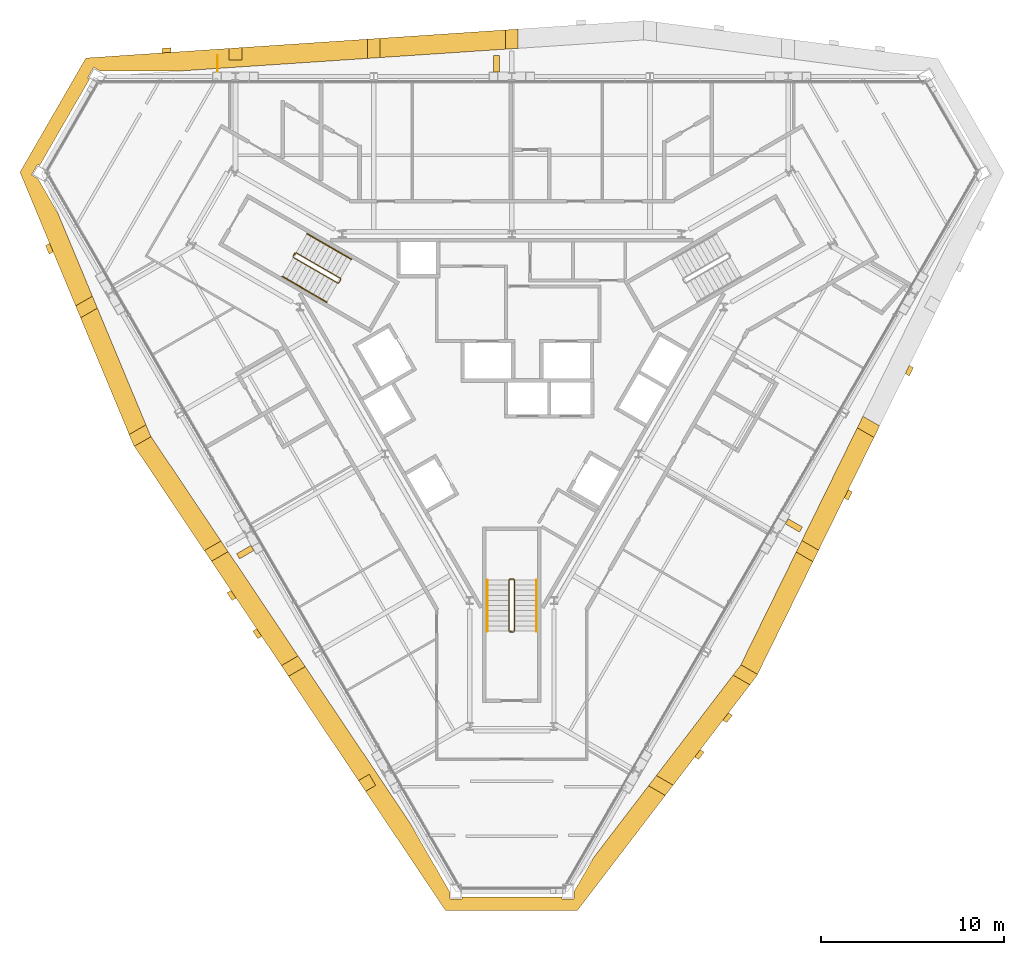
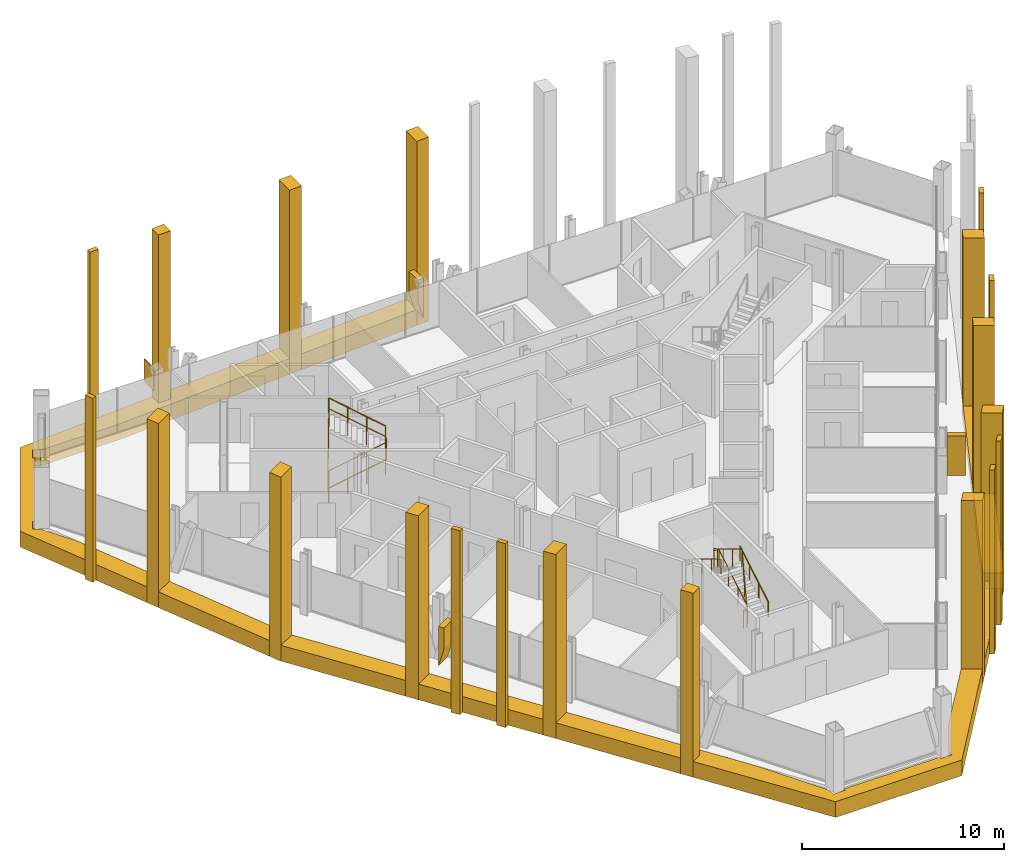
# One storey, part 13 of 14: 33 coverings, 6 railings.
"""IFC4 building model written with IfcOpenShell, lengths in metres."""

from ifc_helpers import new_model, si_unit, direction, frame, origin, origin_2d, place, context, subcontext, project, spatial, polyline, circle, outline, extrude, material, layer, layer_set, type_object, element, save


model = new_model("IFC4")

# Units and contexts
model_context = context("Model", 3, precision=1e-05, world=origin(), true_north=direction((0.0, 1.0)))
body_context = subcontext(model_context, "Body", "Model", "MODEL_VIEW")
ifc_project = project(units=[si_unit("LENGTHUNIT", "METRE"), si_unit("AREAUNIT", "SQUARE_METRE"), si_unit("VOLUMEUNIT", "CUBIC_METRE"), si_unit("PLANEANGLEUNIT", "RADIAN"), si_unit("MASSUNIT", "GRAM", prefix="KILO")], contexts=[model_context])

# Site, building, storey
site_placement = place(None, origin())
site = spatial("IfcSite", under=ifc_project, at=site_placement, CompositionType="ELEMENT")
building_placement = place(site_placement, origin())
building = spatial("IfcBuilding", under=site, at=building_placement, Name="Verrane Prism Tower", CompositionType="ELEMENT")
storey_placement = place(building_placement, frame((0.0, 0.0, 148.800048828125)))
storey = spatial("IfcBuildingStorey", under=building, at=storey_placement, Name="L36", CompositionType="ELEMENT", Elevation=148.800048828125)

# Railings
ifc_material_1 = material(Name="Steel A36 rail and posts, no infill", Category="steel")
railing_type_1 = type_object("IfcRailingType", Name="Stair guard 1100 steel rail and posts", PredefinedType="GUARDRAIL", material=ifc_material_1)
railing_1_placement = place(storey_placement, frame((-11.939453125, 6.72021484375, 0.168212890625)))
element("IfcRailing", 1, at=railing_1_placement, inside=storey, type_object=railing_type_1, Name="Stair 2 guard", PredefinedType="GUARDRAIL", context=body_context, shape_type="SweptSolid", body=[
    extrude(circle(Radius=0.02392578125, at=origin_2d()), frame((0.0, 0.0, 1.076171875), z_axis=(0.742395268701, -0.428678701772, 0.514862928999), x_axis=(0.500049511043, 0.865996816683, 0.0)), (0.0, 0.0, 1.0), 3.26611328125),
    extrude(circle(Radius=0.02392578125, at=origin_2d()), frame((2.4248046875, -1.400146484375, 2.7578125), z_axis=(0.965948051503, 0.258736085224, 0.0), x_axis=(-0.258736085224, 0.965948051503, 0.0)), (0.0, 0.0, 1.0), 0.07080078125),
    extrude(circle(Radius=0.02392578125, at=origin_2d()), frame((2.4931640625, -1.3818359375, 2.7578125), z_axis=(0.499158860599, 0.866510491504, 0.0), x_axis=(-0.866510491504, 0.499158860599, 0.0)), (0.0, 0.0, 1.0), 0.199951171875),
    extrude(circle(Radius=0.02392578125, at=origin_2d()), frame((2.593017578125, -1.20849609375, 2.7578125), z_axis=(-0.100385596638, 0.373434419493, 0.922209014446), x_axis=(-0.965715946433, -0.259601060869, 0.0)), (0.0, 0.0, 1.0), 0.182373046875),
    extrude(circle(Radius=0.02392578125, at=origin_2d()), frame((2.57470703125, -1.140380859375, 2.92578125), z_axis=(-0.742366697286, 0.42866220388, 0.514917859203), x_axis=(-0.500049511043, -0.865996816683, 0.0)), (0.0, 0.0, 1.0), 3.266357421875),
    extrude(circle(Radius=0.02392578125, at=origin_2d()), frame((0.14990234375, 0.259765625, 4.60791015625), z_axis=(-0.04535595117, -0.051675503147, -0.99763343973), x_axis=(0.751567565678, -0.659656118156, 0.0)), (0.0, 0.0, 1.0), 3.708740234375),
    extrude(circle(Radius=0.02392578125, at=origin_2d()), frame((-0.018310546875, 0.068115234375, 0.90771484375), z_axis=(0.499158860599, 0.866510491504, 0.0), x_axis=(-0.866510491504, 0.499158860599, 0.0)), (0.0, 0.0, 1.0), 0.199951171875),
    extrude(circle(Radius=0.02099609375, at=origin_2d()), origin(), (0.0, 0.0, 1.0), 1.052001953125),
    extrude(circle(Radius=0.02099609375, at=origin_2d()), frame((0.808349609375, -0.466796875, 0.560546875)), (0.0, 0.0, 1.0), 1.052001953125),
    extrude(circle(Radius=0.02099609375, at=origin_2d()), frame((1.616455078125, -0.933349609375, 1.12109375)), (0.0, 0.0, 1.0), 1.052001953125),
    extrude(circle(Radius=0.02099609375, at=origin_2d()), frame((2.4248046875, -1.400146484375, 1.681640625)), (0.0, 0.0, 1.0), 1.052001953125),
    extrude(circle(Radius=0.02099609375, at=origin_2d()), frame((2.4931640625, -1.3818359375, 1.681640625)), (0.0, 0.0, 1.0), 1.052001953125),
    extrude(circle(Radius=0.02099609375, at=origin_2d()), frame((2.593017578125, -1.20849609375, 1.681640625)), (0.0, 0.0, 1.0), 1.052001953125),
    extrude(circle(Radius=0.02099609375, at=origin_2d()), frame((2.57470703125, -1.140380859375, 1.849853515625)), (0.0, 0.0, 1.0), 1.052001953125),
    extrude(circle(Radius=0.02099609375, at=origin_2d()), frame((1.766357421875, -0.673583984375, 2.410400390625)), (0.0, 0.0, 1.0), 1.052001953125),
    extrude(circle(Radius=0.02099609375, at=origin_2d()), frame((0.958251953125, -0.20703125, 2.97119140625)), (0.0, 0.0, 1.0), 1.052001953125),
    extrude(circle(Radius=0.02099609375, at=origin_2d()), frame((0.14990234375, 0.259765625, 3.53173828125)), (0.0, 0.0, 1.0), 1.052001953125),
    extrude(circle(Radius=0.02099609375, at=origin_2d()), frame((0.10791015625, 0.2119140625, 2.606689453125)), (0.0, 0.0, 1.0), 1.052001953125),
    extrude(circle(Radius=0.02099609375, at=origin_2d()), frame((0.06591796875, 0.1640625, 1.681640625)), (0.0, 0.0, 1.0), 1.052001953125),
    extrude(circle(Radius=0.02099609375, at=origin_2d()), frame((0.023681640625, 0.115966796875, 0.7568359375)), (0.0, 0.0, 1.0), 1.052001953125),
    extrude(circle(Radius=0.02099609375, at=origin_2d()), frame((-0.018310546875, 0.068115234375, -0.168212890625)), (0.0, 0.0, 1.0), 1.052001953125),
    extrude(circle(Radius=0.02099609375, at=origin_2d()), frame((0.08154296875, 0.241455078125, -0.168212890625)), (0.0, 0.0, 1.0), 1.052001953125),
])
railing_2_placement = place(storey_placement, frame((0.14990234375, -13.699951171875, 0.168212890625)))
element("IfcRailing", 2, at=railing_2_placement, inside=storey, type_object=railing_type_1, Name="Stair 3 guard", PredefinedType="GUARDRAIL", context=body_context, shape_type="SweptSolid", body=[
    extrude(circle(Radius=0.02392578125, at=origin_2d()), frame((0.0, 0.0, 1.076171875), z_axis=(0.0, 0.857275202839, 0.514858452973), x_axis=(-1.0, 0.0, 0.0)), (0.0, 0.0, 1.0), 3.26611328125),
    extrude(circle(Radius=0.02392578125, at=origin_2d()), frame((0.0, 2.800048828125, 2.7578125), z_axis=(-0.707106781187, 0.707106781187, 0.0), x_axis=(-0.707106781187, -0.707106781187, 0.0)), (0.0, 0.0, 1.0), 0.0703125),
    extrude(circle(Radius=0.02392578125, at=origin_2d()), frame((-0.0498046875, 2.849853515625, 2.7578125), z_axis=(-1.0, 0.0, 0.0), x_axis=(0.0, -1.0, 0.0)), (0.0, 0.0, 1.0), 0.2001953125),
    extrude(circle(Radius=0.02392578125, at=origin_2d()), frame((-0.25, 2.849853515625, 2.7578125), z_axis=(-0.273106073848, -0.273106073848, 0.922402376869), x_axis=(0.707106781187, -0.707106781187, 0.0)), (0.0, 0.0, 1.0), 0.182373046875),
    extrude(circle(Radius=0.02392578125, at=origin_2d()), frame((-0.2998046875, 2.800048828125, 2.92578125), z_axis=(0.0, -0.857242210791, 0.514913383045), x_axis=(1.0, 0.0, 0.0)), (0.0, 0.0, 1.0), 3.266357421875),
    extrude(circle(Radius=0.02392578125, at=origin_2d()), frame((-0.2998046875, 0.0, 4.60791015625), z_axis=(0.067408604812, -0.013494886706, -0.997634185476), x_axis=(0.196300278283, 0.98054382908, 0.0)), (0.0, 0.0, 1.0), 3.708740234375),
    extrude(circle(Radius=0.02392578125, at=origin_2d()), frame((-0.0498046875, -0.050048828125, 0.90771484375), z_axis=(-1.0, 0.0, 0.0), x_axis=(0.0, -1.0, 0.0)), (0.0, 0.0, 1.0), 0.2001953125),
    extrude(circle(Radius=0.02099609375, at=origin_2d()), origin(), (0.0, 0.0, 1.0), 1.052001953125),
    extrude(circle(Radius=0.02099609375, at=origin_2d()), frame((0.0, 0.933349609375, 0.560546875)), (0.0, 0.0, 1.0), 1.052001953125),
    extrude(circle(Radius=0.02099609375, at=origin_2d()), frame((0.0, 1.86669921875, 1.12109375)), (0.0, 0.0, 1.0), 1.052001953125),
    extrude(circle(Radius=0.02099609375, at=origin_2d()), frame((0.0, 2.800048828125, 1.681640625)), (0.0, 0.0, 1.0), 1.052001953125),
    extrude(circle(Radius=0.02099609375, at=origin_2d()), frame((-0.0498046875, 2.849853515625, 1.681640625)), (0.0, 0.0, 1.0), 1.052001953125),
    extrude(circle(Radius=0.02099609375, at=origin_2d()), frame((-0.25, 2.849853515625, 1.681640625)), (0.0, 0.0, 1.0), 1.052001953125),
    extrude(circle(Radius=0.02099609375, at=origin_2d()), frame((-0.2998046875, 2.800048828125, 1.849853515625)), (0.0, 0.0, 1.0), 1.052001953125),
    extrude(circle(Radius=0.02099609375, at=origin_2d()), frame((-0.2998046875, 1.86669921875, 2.410400390625)), (0.0, 0.0, 1.0), 1.052001953125),
    extrude(circle(Radius=0.02099609375, at=origin_2d()), frame((-0.2998046875, 0.933349609375, 2.97119140625)), (0.0, 0.0, 1.0), 1.052001953125),
    extrude(circle(Radius=0.02099609375, at=origin_2d()), frame((-0.2998046875, 0.0, 3.53173828125)), (0.0, 0.0, 1.0), 1.052001953125),
    extrude(circle(Radius=0.02099609375, at=origin_2d()), frame((-0.2373046875, -0.012451171875, 2.606689453125)), (0.0, 0.0, 1.0), 1.052001953125),
    extrude(circle(Radius=0.02099609375, at=origin_2d()), frame((-0.1748046875, -0.02490234375, 1.681640625)), (0.0, 0.0, 1.0), 1.052001953125),
    extrude(circle(Radius=0.02099609375, at=origin_2d()), frame((-0.1123046875, -0.03759765625, 0.7568359375)), (0.0, 0.0, 1.0), 1.052001953125),
    extrude(circle(Radius=0.02099609375, at=origin_2d()), frame((-0.0498046875, -0.050048828125, -0.168212890625)), (0.0, 0.0, 1.0), 1.052001953125),
    extrude(circle(Radius=0.02099609375, at=origin_2d()), frame((-0.25, -0.050048828125, -0.168212890625)), (0.0, 0.0, 1.0), 1.052001953125),
])
ifc_material_2 = material(Name="Steel A36 tube", Category="steel")
railing_type_2 = type_object("IfcRailingType", Name="Stair handrail 900 steel tube", PredefinedType="HANDRAIL", material=ifc_material_2)
railing_3_placement = place(storey_placement, frame((-12.53955078125, 5.680908203125, 0.168212890625)))
element("IfcRailing", 3, at=railing_3_placement, inside=storey, type_object=railing_type_2, Name="Stair 2 handrail", PredefinedType="HANDRAIL", context=body_context, shape_type="SweptSolid", body=[
    extrude(circle(Radius=0.02392578125, at=origin_2d()), frame((0.0, 0.0, 0.8759765625), z_axis=(0.742395268701, -0.428678701772, 0.514862928999), x_axis=(0.500049511043, 0.865996816683, 0.0)), (0.0, 0.0, 1.0), 3.26611328125),
    extrude(circle(Radius=0.02099609375, at=origin_2d()), origin(), (0.0, 0.0, 1.0), 0.851806640625),
    extrude(circle(Radius=0.02099609375, at=origin_2d()), frame((0.808349609375, -0.466796875, 0.560546875)), (0.0, 0.0, 1.0), 0.851806640625),
    extrude(circle(Radius=0.02099609375, at=origin_2d()), frame((1.616455078125, -0.933349609375, 1.12109375)), (0.0, 0.0, 1.0), 0.851806640625),
    extrude(circle(Radius=0.02099609375, at=origin_2d()), frame((2.4248046875, -1.400146484375, 1.681640625)), (0.0, 0.0, 1.0), 0.851806640625),
])
railing_4_placement = place(storey_placement, frame((-8.7646484375, 6.619140625, 2.01806640625)))
element("IfcRailing", 4, at=railing_4_placement, inside=storey, type_object=railing_type_2, Name="Stair 2 handrail", PredefinedType="HANDRAIL", context=body_context, shape_type="SweptSolid", body=[
    extrude(circle(Radius=0.02392578125, at=origin_2d()), frame((0.0, 0.0, 0.8759765625), z_axis=(-0.742390482028, 0.42860119049, 0.514934356695), x_axis=(-0.49998411664, -0.866034573852, 0.0)), (0.0, 0.0, 1.0), 3.26611328125),
    extrude(circle(Radius=0.02099609375, at=origin_2d()), origin(), (0.0, 0.0, 1.0), 0.851806640625),
    extrude(circle(Radius=0.02099609375, at=origin_2d()), frame((-0.808349609375, 0.466552734375, 0.560546875)), (0.0, 0.0, 1.0), 0.851806640625),
    extrude(circle(Radius=0.02099609375, at=origin_2d()), frame((-1.616455078125, 0.933349609375, 1.121337890625)), (0.0, 0.0, 1.0), 0.851806640625),
    extrude(circle(Radius=0.02099609375, at=origin_2d()), frame((-2.4248046875, 1.39990234375, 1.681884765625)), (0.0, 0.0, 1.0), 0.851806640625),
])
railing_5_placement = place(storey_placement, frame((1.35009765625, -13.699951171875, 0.168212890625)))
element("IfcRailing", 5, at=railing_5_placement, inside=storey, type_object=railing_type_2, Name="Stair 3 handrail", PredefinedType="HANDRAIL", context=body_context, shape_type="SweptSolid", body=[
    extrude(circle(Radius=0.02392578125, at=origin_2d()), frame((0.0, 0.0, 0.8759765625), z_axis=(0.0, 0.857275202839, 0.514858452973), x_axis=(-1.0, 0.0, 0.0)), (0.0, 0.0, 1.0), 3.26611328125),
    extrude(circle(Radius=0.02099609375, at=origin_2d()), origin(), (0.0, 0.0, 1.0), 0.851806640625),
    extrude(circle(Radius=0.02099609375, at=origin_2d()), frame((0.0, 0.933349609375, 0.560546875)), (0.0, 0.0, 1.0), 0.851806640625),
    extrude(circle(Radius=0.02099609375, at=origin_2d()), frame((0.0, 1.86669921875, 1.12109375)), (0.0, 0.0, 1.0), 0.851806640625),
    extrude(circle(Radius=0.02099609375, at=origin_2d()), frame((0.0, 2.800048828125, 1.681640625)), (0.0, 0.0, 1.0), 0.851806640625),
])
railing_6_placement = place(storey_placement, frame((-1.35009765625, -10.89990234375, 2.01806640625)))
element("IfcRailing", 6, at=railing_6_placement, inside=storey, type_object=railing_type_2, Name="Stair 3 handrail", PredefinedType="HANDRAIL", context=body_context, shape_type="SweptSolid", body=[
    extrude(circle(Radius=0.02392578125, at=origin_2d()), frame((0.0, 0.0, 0.8759765625), z_axis=(0.0, -0.857242210791, 0.514913383045), x_axis=(1.0, 0.0, 0.0)), (0.0, 0.0, 1.0), 3.266357421875),
    extrude(circle(Radius=0.02099609375, at=origin_2d()), origin(), (0.0, 0.0, 1.0), 0.851806640625),
    extrude(circle(Radius=0.02099609375, at=origin_2d()), frame((0.0, -0.933349609375, 0.560546875)), (0.0, 0.0, 1.0), 0.851806640625),
    extrude(circle(Radius=0.02099609375, at=origin_2d()), frame((0.0, -1.86669921875, 1.121337890625)), (0.0, 0.0, 1.0), 0.851806640625),
    extrude(circle(Radius=0.02099609375, at=origin_2d()), frame((0.0, -2.800048828125, 1.681884765625)), (0.0, 0.0, 1.0), 0.851806640625),
])

# Coverings
ifc_material_3 = material(Name="Warm limestone cladding", Category="masonry")
ifc_layer_1 = layer(ifc_material_3, 0.89990234375)
ifc_layer_set_1 = layer_set([ifc_layer_1], Name="Stone brace fin 900")
covering_type_1 = type_object("IfcCoveringType", Name="Stone brace fin 900", PredefinedType="CLADDING", material=ifc_layer_set_1)
covering_1_placement = place(storey_placement, frame((-0.68359375, 17.31396484375, 0.37646484375), z_axis=(0.0, 0.0, 1.0), x_axis=(-1.0, 0.0, 0.0)))
element("IfcCovering", 7, at=covering_1_placement, inside=storey, type_object=covering_type_1, Name="Stone brace fin N4 L36", PredefinedType="CLADDING", context=body_context, shape_type="SweptSolid", body=[
    extrude(outline(polyline([(0.321533203125, 2.37353515625), (0.0, 2.37353515625), (0.0, 0.0), (0.321533203125, 1.10302734375), (0.321533203125, 2.37353515625)])), frame((0.0, 0.449951171875, 0.0), z_axis=(0.0, -1.0, 0.0), x_axis=(1.0, 0.0, 0.0)), (0.0, 0.0, 1.0), 0.89990234375),
])
covering_2_placement = place(storey_placement, frame((-16.057861328125, 17.31396484375, 1.32177734375), z_axis=(0.0, 0.0, 1.0), x_axis=(-1.0, 0.0, 0.0)))
element("IfcCovering", 8, at=covering_2_placement, inside=storey, type_object=covering_type_1, Name="Stone brace fin N6 L36", PredefinedType="CLADDING", context=body_context, shape_type="SweptSolid", body=[
    extrude(outline(polyline([(0.0458984375, 1.42822265625), (0.0, 1.42822265625), (0.0, 0.0), (0.0458984375, 0.15771484375), (0.0458984375, 1.42822265625)])), frame((0.0, 0.449951171875, 0.0), z_axis=(0.0, -1.0, 0.0), x_axis=(1.0, 0.0, 0.0)), (0.0, 0.0, 1.0), 0.89990234375),
])
covering_3_placement = place(storey_placement, frame((-14.648681640625, -9.243896484375, 0.37646484375), z_axis=(0.0, 0.0, 1.0), x_axis=(0.499897828833, -0.8660843843, 0.0)))
element("IfcCovering", 9, at=covering_3_placement, inside=storey, type_object=covering_type_1, Name="Stone brace fin SW4 L36", PredefinedType="CLADDING", context=body_context, shape_type="SweptSolid", body=[
    extrude(outline(polyline([(0.321533203125, 2.37353515625), (0.0, 2.37353515625), (0.0, 0.0), (0.321533203125, 1.10302734375), (0.321533203125, 2.37353515625)])), frame((0.0, 0.449951171875, 0.0), z_axis=(0.0, -1.0, 0.0), x_axis=(1.0, 0.0, 0.0)), (0.0, 0.0, 1.0), 0.89990234375),
])
covering_4_placement = place(storey_placement, frame((15.33154296875, -8.0615234375, 0.37646484375), z_axis=(0.0, 0.0, 1.0), x_axis=(0.500796604048, 0.865564995465, 0.0)))
element("IfcCovering", 10, at=covering_4_placement, inside=storey, type_object=covering_type_1, Name="Stone brace fin SE4 L36", PredefinedType="CLADDING", context=body_context, shape_type="SweptSolid", body=[
    extrude(outline(polyline([(0.3212890625, 2.37353515625), (0.0, 2.37353515625), (0.0, 0.0), (0.3212890625, 1.10302734375), (0.3212890625, 2.37353515625)])), frame((0.0, 0.449951171875, 0.0), z_axis=(0.0, -1.0, 0.0), x_axis=(1.0, 0.0, 0.0)), (0.0, 0.0, 1.0), 0.89990234375),
])
ifc_material_4 = material(Name="Warm limestone cladding", Category="masonry")
covering_type_2 = type_object("IfcCoveringType", Name="Stone mullion pier 500", PredefinedType="CLADDING", material=ifc_material_4)
covering_5_placement = place(storey_placement, frame((0.0, 0.0, -0.949951171875)))
element("IfcCovering", 11, at=covering_5_placement, inside=storey, type_object=covering_type_2, Name="Stone pier SM-N5.1 L36-L38", PredefinedType="CLADDING", context=body_context, shape_type="SweptSolid", body=[
    extrude(outline(polyline([(-19.119384765625, 17.898193359375), (-18.619384765625, 17.931640625), (-18.619384765625, 18.18212890625), (-19.119384765625, 18.148681640625), (-19.119384765625, 17.898193359375)])), origin(), (0.0, 0.0, 1.0), 11.099853515625),
])
covering_6_placement = place(storey_placement, frame((0.0, 0.0, -0.949951171875)))
element("IfcCovering", 12, at=covering_6_placement, inside=storey, type_object=covering_type_2, Name="Stone pier SM-SW0.1 L36-L38", PredefinedType="CLADDING", context=body_context, shape_type="SweptSolid", body=[
    extrude(outline(polyline([(-25.06396484375, 7.029052734375), (-25.2578125, 7.49462890625), (-25.47607421875, 7.36865234375), (-25.282470703125, 6.903076171875), (-25.06396484375, 7.029052734375)])), origin(), (0.0, 0.0, 1.0), 11.099853515625),
])
covering_7_placement = place(storey_placement, frame((0.0, 0.0, -0.949951171875)))
element("IfcCovering", 13, at=covering_7_placement, inside=storey, type_object=covering_type_2, Name="Stone pier SM-SW3.1 L36-L38", PredefinedType="CLADDING", context=body_context, shape_type="SweptSolid", body=[
    extrude(outline(polyline([(-15.06494140625, -11.8916015625), (-15.343994140625, -11.475341796875), (-15.560791015625, -11.6005859375), (-15.281982421875, -12.016845703125), (-15.06494140625, -11.8916015625)])), origin(), (0.0, 0.0, 1.0), 11.099853515625),
])
covering_8_placement = place(storey_placement, frame((0.0, 0.0, -0.949951171875)))
element("IfcCovering", 14, at=covering_8_placement, inside=storey, type_object=covering_type_2, Name="Stone pier SM-SW3.2 L36-L38", PredefinedType="CLADDING", context=body_context, shape_type="SweptSolid", body=[
    extrude(outline(polyline([(-13.6611328125, -13.986083984375), (-13.940185546875, -13.56982421875), (-14.1572265625, -13.6953125), (-13.878173828125, -14.111572265625), (-13.6611328125, -13.986083984375)])), origin(), (0.0, 0.0, 1.0), 11.099853515625),
])
covering_9_placement = place(storey_placement, frame((0.0, 0.0, -0.949951171875)))
element("IfcCovering", 15, at=covering_9_placement, inside=storey, type_object=covering_type_2, Name="Stone pier SM-SE1.1 L36-L38", PredefinedType="CLADDING", context=body_context, shape_type="SweptSolid", body=[
    extrude(outline(polyline([(10.297119140625, -20.181884765625), (9.99072265625, -20.58251953125), (10.208984375, -20.70849609375), (10.515380859375, -20.30810546875), (10.297119140625, -20.181884765625)])), origin(), (0.0, 0.0, 1.0), 11.099853515625),
])
covering_10_placement = place(storey_placement, frame((0.0, 0.0, -0.949951171875)))
element("IfcCovering", 16, at=covering_10_placement, inside=storey, type_object=covering_type_2, Name="Stone pier SM-SE1.2 L36-L38", PredefinedType="CLADDING", context=body_context, shape_type="SweptSolid", body=[
    extrude(outline(polyline([(11.837890625, -18.16650390625), (11.53173828125, -18.567138671875), (11.75, -18.693115234375), (12.056396484375, -18.29248046875), (11.837890625, -18.16650390625)])), origin(), (0.0, 0.0, 1.0), 11.099853515625),
])
covering_11_placement = place(storey_placement, frame((0.0, 0.0, -0.949951171875)))
element("IfcCovering", 17, at=covering_11_placement, inside=storey, type_object=covering_type_2, Name="Stone pier SM-SE3.1 L36-L38", PredefinedType="CLADDING", context=body_context, shape_type="SweptSolid", body=[
    extrude(outline(polyline([(18.386962890625, -5.96923828125), (18.166015625, -6.4189453125), (18.383056640625, -6.544189453125), (18.60400390625, -6.094482421875), (18.386962890625, -5.96923828125)])), origin(), (0.0, 0.0, 1.0), 11.099853515625),
])
covering_12_placement = place(storey_placement, frame((0.0, 0.0, -0.949951171875)))
element("IfcCovering", 18, at=covering_12_placement, inside=storey, type_object=covering_type_2, Name="Stone pier SM-SE4.1 L36-L38", PredefinedType="CLADDING", context=body_context, shape_type="SweptSolid", body=[
    extrude(outline(polyline([(21.723388671875, 0.819580078125), (21.50244140625, 0.3701171875), (21.719482421875, 0.24462890625), (21.9404296875, 0.6943359375), (21.723388671875, 0.819580078125)])), origin(), (0.0, 0.0, 1.0), 11.099853515625),
])
ifc_material_5 = material(Name="Warm limestone cladding", Category="masonry")
covering_type_3 = type_object("IfcCoveringType", Name="Stone pier 700", PredefinedType="CLADDING", material=ifc_material_5)
covering_13_placement = place(storey_placement, frame((0.0, 0.0, -0.949951171875)))
element("IfcCovering", 19, at=covering_13_placement, inside=storey, type_object=covering_type_3, Name="Stone pier PC-N3 L36-L38", PredefinedType="CLADDING", context=body_context, shape_type="SweptSolid", body=[
    extrude(outline(polyline([(-0.35009765625, 19.154052734375), (-0.35009765625, 18.101806640625), (0.35009765625, 18.148681640625), (0.35009765625, 19.200927734375), (-0.35009765625, 19.154052734375)])), origin(), (0.0, 0.0, 1.0), 11.099853515625),
])
covering_14_placement = place(storey_placement, frame((0.0, 0.0, -0.949951171875)))
element("IfcCovering", 20, at=covering_14_placement, inside=storey, type_object=covering_type_3, Name="Stone pier PC-N4 L36-L38", PredefinedType="CLADDING", context=body_context, shape_type="SweptSolid", body=[
    extrude(outline(polyline([(-7.897705078125, 18.64892578125), (-7.897705078125, 17.5966796875), (-7.19775390625, 17.6435546875), (-7.19775390625, 18.69580078125), (-7.897705078125, 18.64892578125)])), origin(), (0.0, 0.0, 1.0), 11.099853515625),
])
covering_15_placement = place(storey_placement, frame((0.0, 0.0, -0.949951171875)))
element("IfcCovering", 21, at=covering_15_placement, inside=storey, type_object=covering_type_3, Name="Stone pier PC-N5 L36-L38", PredefinedType="CLADDING", context=body_context, shape_type="SweptSolid", body=[
    extrude(outline(polyline([(-15.445556640625, 17.511962890625), (-14.74560546875, 17.511962890625), (-14.74560546875, 18.19091796875), (-15.445556640625, 18.14404296875), (-15.445556640625, 17.511962890625)])), origin(), (0.0, 0.0, 1.0), 11.099853515625),
])
covering_16_placement = place(storey_placement, frame((0.0, 0.0, -0.949951171875)))
element("IfcCovering", 22, at=covering_16_placement, inside=storey, type_object=covering_type_3, Name="Stone pier PC-SW1 L36-L38", PredefinedType="CLADDING", context=body_context, shape_type="SweptSolid", body=[
    extrude(outline(polyline([(-23.56298828125, 3.422607421875), (-22.64599609375, 3.9521484375), (-22.917236328125, 4.603759765625), (-23.833984375, 4.07421875), (-23.56298828125, 3.422607421875)])), origin(), (0.0, 0.0, 1.0), 11.099853515625),
])
covering_17_placement = place(storey_placement, frame((0.0, 0.0, -0.949951171875)))
element("IfcCovering", 23, at=covering_17_placement, inside=storey, type_object=covering_type_3, Name="Stone pier PC-SW2 L36-L38", PredefinedType="CLADDING", context=body_context, shape_type="SweptSolid", body=[
    extrude(outline(polyline([(-20.624267578125, -3.59619140625), (-19.712890625, -3.06982421875), (-19.73974609375, -3.02978515625), (-19.9921875, -2.423095703125), (-20.9091796875, -2.952392578125), (-20.66943359375, -3.52880859375), (-20.624267578125, -3.59619140625)])), origin(), (0.0, 0.0, 1.0), 11.099853515625),
])
covering_18_placement = place(storey_placement, frame((0.0, 0.0, -0.949951171875)))
element("IfcCovering", 24, at=covering_18_placement, inside=storey, type_object=covering_type_3, Name="Stone pier PC-SW3 L36-L38", PredefinedType="CLADDING", context=body_context, shape_type="SweptSolid", body=[
    extrude(outline(polyline([(-16.412841796875, -9.880126953125), (-15.501708984375, -9.35400390625), (-15.89208984375, -8.771240234375), (-16.803466796875, -9.29736328125), (-16.412841796875, -9.880126953125)])), origin(), (0.0, 0.0, 1.0), 11.099853515625),
])
covering_19_placement = place(storey_placement, frame((0.0, 0.0, -0.949951171875)))
element("IfcCovering", 25, at=covering_19_placement, inside=storey, type_object=covering_type_3, Name="Stone pier PC-SW4 L36-L38", PredefinedType="CLADDING", context=body_context, shape_type="SweptSolid", body=[
    extrude(outline(polyline([(-12.20166015625, -16.164306640625), (-11.290283203125, -15.637939453125), (-11.680908203125, -15.05517578125), (-12.59228515625, -15.581298828125), (-12.20166015625, -16.164306640625)])), origin(), (0.0, 0.0, 1.0), 11.099853515625),
])
covering_20_placement = place(storey_placement, frame((0.0, 0.0, -0.949951171875)))
element("IfcCovering", 26, at=covering_20_placement, inside=storey, type_object=covering_type_3, Name="Stone pier PC-SW5 L36-L38", PredefinedType="CLADDING", context=body_context, shape_type="SweptSolid", body=[
    extrude(outline(polyline([(-7.4404296875, -22.130615234375), (-7.67578125, -21.723388671875), (-7.79052734375, -21.5244140625), (-8.380859375, -21.865478515625), (-7.990478515625, -22.4482421875), (-7.4404296875, -22.130615234375)])), origin(), (0.0, 0.0, 1.0), 11.099853515625),
])
covering_21_placement = place(storey_placement, frame((0.0, 0.0, -0.949951171875)))
element("IfcCovering", 27, at=covering_21_placement, inside=storey, type_object=covering_type_3, Name="Stone pier PC-SE1 L36-L38", PredefinedType="CLADDING", context=body_context, shape_type="SweptSolid", body=[
    extrude(outline(polyline([(8.8173828125, -22.1171875), (7.900390625, -21.587890625), (7.4716796875, -22.148681640625), (8.388671875, -22.677978515625), (8.8173828125, -22.1171875)])), origin(), (0.0, 0.0, 1.0), 11.099853515625),
])
covering_22_placement = place(storey_placement, frame((0.0, 0.0, -0.949951171875)))
element("IfcCovering", 28, at=covering_22_placement, inside=storey, type_object=covering_type_3, Name="Stone pier PC-SE2 L36-L38", PredefinedType="CLADDING", context=body_context, shape_type="SweptSolid", body=[
    extrude(outline(polyline([(13.426513671875, -16.06298828125), (12.514892578125, -15.536865234375), (12.493896484375, -15.580078125), (12.094482421875, -16.102294921875), (13.011474609375, -16.6318359375), (13.390625, -16.135986328125), (13.426513671875, -16.06298828125)])), origin(), (0.0, 0.0, 1.0), 11.099853515625),
])
covering_23_placement = place(storey_placement, frame((0.0, 0.0, -0.949951171875)))
element("IfcCovering", 29, at=covering_23_placement, inside=storey, type_object=covering_type_3, Name="Stone pier PC-SE3 L36-L38", PredefinedType="CLADDING", context=body_context, shape_type="SweptSolid", body=[
    extrude(outline(polyline([(16.762939453125, -9.27392578125), (15.8515625, -8.747802734375), (15.5419921875, -9.37744140625), (16.45361328125, -9.903564453125), (16.762939453125, -9.27392578125)])), origin(), (0.0, 0.0, 1.0), 11.099853515625),
])
covering_24_placement = place(storey_placement, frame((0.0, 0.0, -0.949951171875)))
element("IfcCovering", 30, at=covering_24_placement, inside=storey, type_object=covering_type_3, Name="Stone pier PC-SE4 L36-L38", PredefinedType="CLADDING", context=body_context, shape_type="SweptSolid", body=[
    extrude(outline(polyline([(20.099609375, -2.48486328125), (19.18798828125, -1.95849609375), (18.878662109375, -2.58837890625), (19.7900390625, -3.114501953125), (20.099609375, -2.48486328125)])), origin(), (0.0, 0.0, 1.0), 11.099853515625),
])
ifc_material_6 = material(Name="Warm limestone cladding", Category="masonry")
ifc_layer_2 = layer(ifc_material_6, 0.449951171875)
ifc_layer_set_2 = layer_set([ifc_layer_2], Name="Stone spandrel band 450")
covering_type_4 = type_object("IfcCoveringType", Name="Stone spandrel band 450", PredefinedType="CLADDING", material=ifc_layer_set_2)
covering_25_placement = place(storey_placement, frame((0.0, 0.0, -0.949951171875)))
element("IfcCovering", 31, at=covering_25_placement, inside=storey, type_object=covering_type_4, Name="Stone spandrel band L36 part 1", PredefinedType="CLADDING", context=body_context, shape_type="SweptSolid", body=[
    extrude(outline(polyline([(3.581787109375, -28.964599609375), (8.388671875, -22.677978515625), (7.4716796875, -22.148681640625), (4.4775390625, -26.064453125), (3.389892578125, -27.9482421875), (3.389892578125, -28.340087890625), (2.72998046875, -28.340087890625), (2.72998046875, -28.214599609375), (-2.72998046875, -28.214599609375), (-2.72998046875, -28.340087890625), (-3.389892578125, -28.340087890625), (-3.389892578125, -27.9482421875), (-5.564453125, -24.181884765625), (-11.290283203125, -15.637939453125), (-12.20166015625, -16.164306640625), (-8.380859375, -21.865478515625), (-7.79052734375, -21.5244140625), (-7.4404296875, -22.130615234375), (-7.990478515625, -22.4482421875), (-3.623291015625, -28.964599609375), (3.581787109375, -28.964599609375)])), origin(), (0.0, 0.0, 1.0), 0.949951171875),
])
covering_26_placement = place(storey_placement, frame((0.0, 0.0, -0.949951171875)))
element("IfcCovering", 32, at=covering_26_placement, inside=storey, type_object=covering_type_4, Name="Stone spandrel band L36 part 3", PredefinedType="CLADDING", context=body_context, shape_type="SweptSolid", body=[
    extrude(outline(polyline([(-22.917236328125, 4.603759765625), (-24.811279296875, 9.154541015625), (-25.89013671875, 11.02294921875), (-26.247314453125, 11.229248046875), (-25.91748046875, 11.80078125), (-25.80419921875, 11.7353515625), (-23.0673828125, 16.4755859375), (-23.177490234375, 16.539306640625), (-22.847412109375, 17.11083984375), (-22.49951171875, 16.909912109375), (-18.159912109375, 16.909912109375), (-7.897705078125, 17.5966796875), (-7.897705078125, 18.64892578125), (-14.74560546875, 18.19091796875), (-14.74560546875, 17.511962890625), (-15.445556640625, 17.511962890625), (-15.445556640625, 18.14404296875), (-23.272705078125, 17.6201171875), (-26.875244140625, 11.38037109375), (-23.833984375, 4.07421875), (-22.917236328125, 4.603759765625)])), origin(), (0.0, 0.0, 1.0), 0.949951171875),
])
covering_27_placement = place(storey_placement, frame((0.0, 0.0, -0.949951171875)))
element("IfcCovering", 33, at=covering_27_placement, inside=storey, type_object=covering_type_4, Name="Stone spandrel band L36 part 4", PredefinedType="CLADDING", context=body_context, shape_type="SweptSolid", body=[
    extrude(outline(polyline([(12.094482421875, -16.102294921875), (7.900390625, -21.587890625), (8.8173828125, -22.1171875), (13.011474609375, -16.6318359375), (12.094482421875, -16.102294921875)])), origin(), (0.0, 0.0, 1.0), 0.949951171875),
])
covering_28_placement = place(storey_placement, frame((0.0, 0.0, -0.949951171875)))
element("IfcCovering", 34, at=covering_28_placement, inside=storey, type_object=covering_type_4, Name="Stone spandrel band L36 part 6", PredefinedType="CLADDING", context=body_context, shape_type="SweptSolid", body=[
    extrude(outline(polyline([(-20.9091796875, -2.952392578125), (-19.9921875, -2.423095703125), (-22.64599609375, 3.9521484375), (-23.56298828125, 3.422607421875), (-20.9091796875, -2.952392578125)])), origin(), (0.0, 0.0, 1.0), 0.949951171875),
])
covering_29_placement = place(storey_placement, frame((0.0, 0.0, -0.949951171875)))
element("IfcCovering", 35, at=covering_29_placement, inside=storey, type_object=covering_type_4, Name="Stone spandrel band L36 part 7", PredefinedType="CLADDING", context=body_context, shape_type="SweptSolid", body=[
    extrude(outline(polyline([(-16.803466796875, -9.29736328125), (-15.89208984375, -8.771240234375), (-19.712890625, -3.06982421875), (-20.624267578125, -3.59619140625), (-16.803466796875, -9.29736328125)])), origin(), (0.0, 0.0, 1.0), 0.949951171875),
])
covering_30_placement = place(storey_placement, frame((0.0, 0.0, -0.949951171875)))
element("IfcCovering", 36, at=covering_30_placement, inside=storey, type_object=covering_type_4, Name="Stone spandrel band L36 part 8", PredefinedType="CLADDING", context=body_context, shape_type="SweptSolid", body=[
    extrude(outline(polyline([(-11.680908203125, -15.05517578125), (-15.501708984375, -9.35400390625), (-16.412841796875, -9.880126953125), (-12.59228515625, -15.581298828125), (-11.680908203125, -15.05517578125)])), origin(), (0.0, 0.0, 1.0), 0.949951171875),
])
covering_31_placement = place(storey_placement, frame((0.0, 0.0, -0.949951171875)))
element("IfcCovering", 37, at=covering_31_placement, inside=storey, type_object=covering_type_4, Name="Stone spandrel band L36 part 9", PredefinedType="CLADDING", context=body_context, shape_type="SweptSolid", body=[
    extrude(outline(polyline([(16.45361328125, -9.903564453125), (15.5419921875, -9.37744140625), (12.514892578125, -15.536865234375), (13.426513671875, -16.06298828125), (16.45361328125, -9.903564453125)])), origin(), (0.0, 0.0, 1.0), 0.949951171875),
])
covering_32_placement = place(storey_placement, frame((0.0, 0.0, -0.949951171875)))
element("IfcCovering", 38, at=covering_32_placement, inside=storey, type_object=covering_type_4, Name="Stone spandrel band L36 part 10", PredefinedType="CLADDING", context=body_context, shape_type="SweptSolid", body=[
    extrude(outline(polyline([(18.878662109375, -2.58837890625), (15.8515625, -8.747802734375), (16.762939453125, -9.27392578125), (19.7900390625, -3.114501953125), (18.878662109375, -2.58837890625)])), origin(), (0.0, 0.0, 1.0), 0.949951171875),
])
covering_33_placement = place(storey_placement, frame((0.0, 0.0, -0.949951171875)))
element("IfcCovering", 39, at=covering_33_placement, inside=storey, type_object=covering_type_4, Name="Stone spandrel band L36 part 12", PredefinedType="CLADDING", context=body_context, shape_type="SweptSolid", body=[
    extrude(outline(polyline([(-7.19775390625, 18.69580078125), (-7.19775390625, 17.6435546875), (-0.35009765625, 18.101806640625), (-0.35009765625, 19.154052734375), (-7.19775390625, 18.69580078125)])), origin(), (0.0, 0.0, 1.0), 0.949951171875),
])

save(model, "model.ifc")
